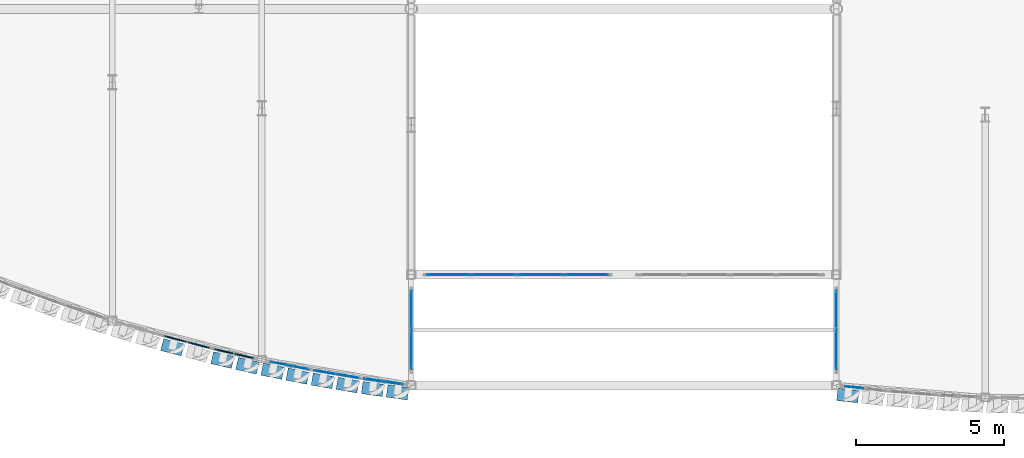
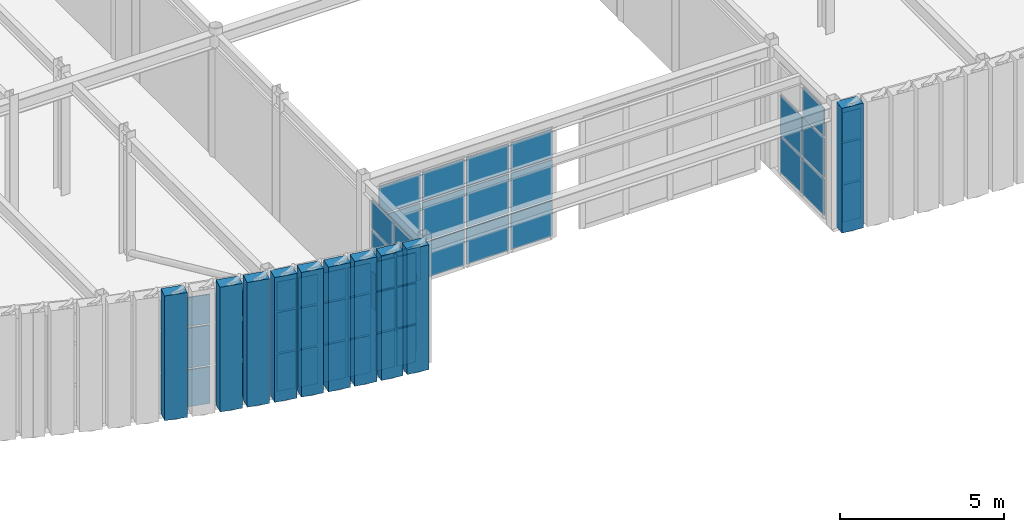
# One storey, part 82 of 121: 66 plates, 9 elements without a shape of their own.
"""IFC4 building model written with IfcOpenShell, lengths in metres."""

from ifc_helpers import new_model, si_unit, direction, frame, origin, origin_2d, place, context, subcontext, project, spatial, rectangle, extrude, material, layer, layer_set, type_object, element, aggregate, save


model = new_model("IFC4")

# Units and contexts
model_context = context("Model", 3, precision=1e-05, world=origin(), true_north=direction((0.0, 1.0)))
body_context = subcontext(model_context, "Body", "Model", "MODEL_VIEW")
ifc_project = project(units=[si_unit("LENGTHUNIT", "METRE"), si_unit("AREAUNIT", "SQUARE_METRE"), si_unit("VOLUMEUNIT", "CUBIC_METRE"), si_unit("PLANEANGLEUNIT", "RADIAN"), si_unit("MASSUNIT", "GRAM", prefix="KILO")], contexts=[model_context])

# Site, building, storey
site_placement = place(None, origin())
site = spatial("IfcSite", under=ifc_project, at=site_placement, CompositionType="ELEMENT")
building_placement = place(site_placement, origin())
building = spatial("IfcBuilding", under=site, at=building_placement, Name="Solvadek Multi-Sports Hall", CompositionType="ELEMENT")
storey_placement = place(building_placement, frame((0.0, 0.0, 4.800048828125)))
storey = spatial("IfcBuildingStorey", under=building, at=storey_placement, Name="L01", CompositionType="ELEMENT", Elevation=4.800048828125)

# Curtain wall, plates
ifc_material_1 = material(Name="Anodised aluminium", Category="aluminium")
ifc_layer_1 = layer(ifc_material_1, 0.159912109375, Name="Anodised aluminium")
ifc_layer_set_1 = layer_set([ifc_layer_1], Name="Anodised aluminium")
curtain_wall_type_1 = type_object("IfcCurtainWallType", Name="ENV-CW-145X420", PredefinedType="USERDEFINED", material=ifc_layer_set_1)
curtain_wall_1_placement = place(storey_placement, origin())
curtain_wall_1 = element("IfcCurtainWall", 1, at=curtain_wall_1_placement, inside=storey, type_object=curtain_wall_type_1, Name="L01 Crescent Curved Curtain Wall #49", ObjectType="CURTAIN WALL", PredefinedType="USERDEFINED")
ifc_material_2 = material(Name="Tempered laminated low-E glass", Category="glass")
ifc_layer_2 = layer(ifc_material_2, 0.02392578125, Name="Tempered laminated low-E glass")
ifc_layer_set_2 = layer_set([ifc_layer_2], Name="Tempered laminated low-E glass")
plate_type_1 = type_object("IfcPlateType", Name="ENV-CWP-01", PredefinedType="CURTAIN_PANEL", material=ifc_layer_set_2)
plate_1_placement = place(storey_placement, frame((67.54736328125, -12.015625, 0.06005859375), z_axis=(0.0, 0.0, 1.0), x_axis=(0.980572719393, -0.196155912432, 0.0)))
plate_1 = element("IfcPlate", 2, at=plate_1_placement, type_object=plate_type_1, Name="CW-24 panel 1.1", PredefinedType="CURTAIN_PANEL", context=body_context, shape_type="SweptSolid", body=[
    extrude(rectangle(XDim=0.6201171875, YDim=0.02392578125, at=origin_2d()), origin(), (0.0, 0.0, 1.0), 1.3798828125),
])
plate_2_placement = place(storey_placement, frame((67.54736328125, -12.015625, 1.5), z_axis=(0.0, 0.0, 1.0), x_axis=(0.980572719393, -0.196155912432, 0.0)))
plate_2 = element("IfcPlate", 3, at=plate_2_placement, type_object=plate_type_1, Name="CW-24 panel 1.2", PredefinedType="CURTAIN_PANEL", context=body_context, shape_type="SweptSolid", body=[
    extrude(rectangle(XDim=0.6201171875, YDim=0.02392578125, at=origin_2d()), origin(), (0.0, 0.0, 1.0), 1.493896484375),
])
plate_3_placement = place(storey_placement, frame((67.54736328125, -12.015625, 3.053955078125), z_axis=(0.0, 0.0, 1.0), x_axis=(0.980572719393, -0.196155912432, 0.0)))
plate_3 = element("IfcPlate", 4, at=plate_3_placement, type_object=plate_type_1, Name="CW-24 panel 1.3", PredefinedType="CURTAIN_PANEL", context=body_context, shape_type="SweptSolid", body=[
    extrude(rectangle(XDim=0.6201171875, YDim=0.02392578125, at=origin_2d()), origin(), (0.0, 0.0, 1.0), 1.0859375),
])
plate_4_placement = place(storey_placement, frame((68.22412109375, -12.15087890625, 0.06005859375), z_axis=(0.0, 0.0, 1.0), x_axis=(0.980572719393, -0.196155912432, 0.0)))
plate_4 = element("IfcPlate", 5, at=plate_4_placement, type_object=plate_type_1, Name="CW-24 panel 2.1", PredefinedType="CURTAIN_PANEL", context=body_context, shape_type="SweptSolid", body=[
    extrude(rectangle(XDim=0.6201171875, YDim=0.02392578125, at=origin_2d()), origin(), (0.0, 0.0, 1.0), 1.3798828125),
])
plate_5_placement = place(storey_placement, frame((68.22412109375, -12.15087890625, 1.5), z_axis=(0.0, 0.0, 1.0), x_axis=(0.980572719393, -0.196155912432, 0.0)))
plate_5 = element("IfcPlate", 6, at=plate_5_placement, type_object=plate_type_1, Name="CW-24 panel 2.2", PredefinedType="CURTAIN_PANEL", context=body_context, shape_type="SweptSolid", body=[
    extrude(rectangle(XDim=0.6201171875, YDim=0.02392578125, at=origin_2d()), origin(), (0.0, 0.0, 1.0), 1.493896484375),
])
plate_6_placement = place(storey_placement, frame((68.22412109375, -12.15087890625, 3.053955078125), z_axis=(0.0, 0.0, 1.0), x_axis=(0.980572719393, -0.196155912432, 0.0)))
plate_6 = element("IfcPlate", 7, at=plate_6_placement, type_object=plate_type_1, Name="CW-24 panel 2.3", PredefinedType="CURTAIN_PANEL", context=body_context, shape_type="SweptSolid", body=[
    extrude(rectangle(XDim=0.6201171875, YDim=0.02392578125, at=origin_2d()), origin(), (0.0, 0.0, 1.0), 1.0859375),
])
aggregate(curtain_wall_1, [plate_1, plate_2, plate_3, plate_4, plate_5, plate_6])

ifc_layer_3 = layer(ifc_material_1, 0.159912109375, Name="Anodised aluminium")
ifc_layer_set_3 = layer_set([ifc_layer_3], Name="Anodised aluminium")
curtain_wall_type_2 = type_object("IfcCurtainWallType", Name="ENV-CW-142X420", PredefinedType="USERDEFINED", material=ifc_layer_set_3)
curtain_wall_2_placement = place(storey_placement, origin())
curtain_wall_2 = element("IfcCurtainWall", 8, at=curtain_wall_2_placement, inside=storey, type_object=curtain_wall_type_2, Name="L01 Crescent Curved Curtain Wall #55", ObjectType="CURTAIN WALL", PredefinedType="USERDEFINED")
plate_7_placement = place(storey_placement, frame((87.00634765625, -12.819580078125, 0.06005859375), z_axis=(0.0, 0.0, 1.0), x_axis=(0.994010171032, -0.109287601694, 0.0)))
plate_7 = element("IfcPlate", 9, at=plate_7_placement, type_object=plate_type_1, Name="CW-27 panel 1.1", PredefinedType="CURTAIN_PANEL", context=body_context, shape_type="SweptSolid", body=[
    extrude(rectangle(XDim=0.6201171875, YDim=0.02392578125, at=origin_2d()), origin(), (0.0, 0.0, 1.0), 1.3798828125),
])
plate_8_placement = place(storey_placement, frame((87.00634765625, -12.819580078125, 1.5), z_axis=(0.0, 0.0, 1.0), x_axis=(0.994010171032, -0.109287601694, 0.0)))
plate_8 = element("IfcPlate", 10, at=plate_8_placement, type_object=plate_type_1, Name="CW-27 panel 1.2", PredefinedType="CURTAIN_PANEL", context=body_context, shape_type="SweptSolid", body=[
    extrude(rectangle(XDim=0.6201171875, YDim=0.02392578125, at=origin_2d()), origin(), (0.0, 0.0, 1.0), 1.493896484375),
])
plate_9_placement = place(storey_placement, frame((87.00634765625, -12.819580078125, 3.053955078125), z_axis=(0.0, 0.0, 1.0), x_axis=(0.994010171032, -0.109287601694, 0.0)))
plate_9 = element("IfcPlate", 11, at=plate_9_placement, type_object=plate_type_1, Name="CW-27 panel 1.3", PredefinedType="CURTAIN_PANEL", context=body_context, shape_type="SweptSolid", body=[
    extrude(rectangle(XDim=0.6201171875, YDim=0.02392578125, at=origin_2d()), origin(), (0.0, 0.0, 1.0), 1.0859375),
])
aggregate(curtain_wall_2, [plate_7, plate_8, plate_9])

ifc_layer_4 = layer(ifc_material_1, 0.159912109375, Name="Anodised aluminium")
ifc_layer_set_4 = layer_set([ifc_layer_4], Name="Anodised aluminium")
curtain_wall_type_3 = type_object("IfcCurtainWallType", Name="ENV-CW-165X420", PredefinedType="USERDEFINED", material=ifc_layer_set_4)
curtain_wall_3_placement = place(storey_placement, origin())
curtain_wall_3 = element("IfcCurtainWall", 12, at=curtain_wall_3_placement, inside=storey, type_object=curtain_wall_type_3, Name="L01 Crescent Curved Curtain Wall #51", ObjectType="CURTAIN WALL", PredefinedType="USERDEFINED")
ifc_layer_5 = layer(ifc_material_2, 0.028076171875, Name="Tempered laminated low-E glass")
ifc_layer_set_5 = layer_set([ifc_layer_5], Name="Tempered laminated low-E glass")
plate_type_2 = type_object("IfcPlateType", Name="ENV-CWP-02", PredefinedType="CURTAIN_PANEL", material=ifc_layer_set_5)
plate_10_placement = place(storey_placement, frame((69.07763671875, -12.307861328125, 0.06005859375), z_axis=(0.0, 0.0, 1.0), x_axis=(0.985915035187, -0.167246953314, 0.0)))
plate_10 = element("IfcPlate", 13, at=plate_10_placement, type_object=plate_type_2, Name="CW-25 panel 1.1", PredefinedType="CURTAIN_PANEL", context=body_context, shape_type="SweptSolid", body=[
    extrude(rectangle(XDim=0.7353515625, YDim=0.028076171875, at=origin_2d()), origin(), (0.0, 0.0, 1.0), 1.3798828125),
])
plate_11_placement = place(storey_placement, frame((69.07763671875, -12.307861328125, 1.5), z_axis=(0.0, 0.0, 1.0), x_axis=(0.985915035187, -0.167246953314, 0.0)))
plate_11 = element("IfcPlate", 14, at=plate_11_placement, type_object=plate_type_2, Name="CW-25 panel 1.2", PredefinedType="CURTAIN_PANEL", context=body_context, shape_type="SweptSolid", body=[
    extrude(rectangle(XDim=0.7353515625, YDim=0.028076171875, at=origin_2d()), origin(), (0.0, 0.0, 1.0), 1.493896484375),
])
plate_12_placement = place(storey_placement, frame((69.07763671875, -12.307861328125, 3.053955078125), z_axis=(0.0, 0.0, 1.0), x_axis=(0.985915035187, -0.167246953314, 0.0)))
plate_12 = element("IfcPlate", 15, at=plate_12_placement, type_object=plate_type_2, Name="CW-25 panel 1.3", PredefinedType="CURTAIN_PANEL", context=body_context, shape_type="SweptSolid", body=[
    extrude(rectangle(XDim=0.7353515625, YDim=0.028076171875, at=origin_2d()), origin(), (0.0, 0.0, 1.0), 1.0859375),
])
plate_13_placement = place(storey_placement, frame((69.86181640625, -12.44091796875, 0.06005859375), z_axis=(0.0, 0.0, 1.0), x_axis=(0.985915035187, -0.167246953314, 0.0)))
plate_13 = element("IfcPlate", 16, at=plate_13_placement, type_object=plate_type_2, Name="CW-25 panel 2.1", PredefinedType="CURTAIN_PANEL", context=body_context, shape_type="SweptSolid", body=[
    extrude(rectangle(XDim=0.7353515625, YDim=0.028076171875, at=origin_2d()), origin(), (0.0, 0.0, 1.0), 1.3798828125),
])
plate_14_placement = place(storey_placement, frame((69.86181640625, -12.44091796875, 1.5), z_axis=(0.0, 0.0, 1.0), x_axis=(0.985915035187, -0.167246953314, 0.0)))
plate_14 = element("IfcPlate", 17, at=plate_14_placement, type_object=plate_type_2, Name="CW-25 panel 2.2", PredefinedType="CURTAIN_PANEL", context=body_context, shape_type="SweptSolid", body=[
    extrude(rectangle(XDim=0.7353515625, YDim=0.028076171875, at=origin_2d()), origin(), (0.0, 0.0, 1.0), 1.493896484375),
])
plate_15_placement = place(storey_placement, frame((69.86181640625, -12.44091796875, 3.053955078125), z_axis=(0.0, 0.0, 1.0), x_axis=(0.985915035187, -0.167246953314, 0.0)))
plate_15 = element("IfcPlate", 18, at=plate_15_placement, type_object=plate_type_2, Name="CW-25 panel 2.3", PredefinedType="CURTAIN_PANEL", context=body_context, shape_type="SweptSolid", body=[
    extrude(rectangle(XDim=0.7353515625, YDim=0.028076171875, at=origin_2d()), origin(), (0.0, 0.0, 1.0), 1.0859375),
])
aggregate(curtain_wall_3, [plate_10, plate_11, plate_12, plate_13, plate_14, plate_15])

ifc_layer_6 = layer(ifc_material_1, 0.159912109375, Name="Anodised aluminium")
ifc_layer_set_6 = layer_set([ifc_layer_6], Name="Anodised aluminium")
curtain_wall_type_4 = type_object("IfcCurtainWallType", Name="ENV-CW-279X413", PredefinedType="USERDEFINED", material=ifc_layer_set_6)
curtain_wall_4_placement = place(storey_placement, origin())
curtain_wall_4 = element("IfcCurtainWall", 19, at=curtain_wall_4_placement, inside=storey, type_object=curtain_wall_type_4, Name="L01 Perimeter Bay Curtain Wall #120", ObjectType="CURTAIN WALL", PredefinedType="USERDEFINED")
plate_16_placement = place(storey_placement, frame((72.0, -11.5595703125, 0.06005859375), z_axis=(0.0, 0.0, 1.0), x_axis=(0.0, 1.0, 0.0)))
plate_16 = element("IfcPlate", 20, at=plate_16_placement, type_object=plate_type_2, Name="CW-41 panel 1.1", PredefinedType="CURTAIN_PANEL", context=body_context, shape_type="SweptSolid", body=[
    extrude(rectangle(XDim=1.306396484375, YDim=0.028076171875, at=origin_2d()), origin(), (0.0, 0.0, 1.0), 1.35400390625),
])
plate_17_placement = place(storey_placement, frame((72.0, -11.5595703125, 1.47412109375), z_axis=(0.0, 0.0, 1.0), x_axis=(0.0, 1.0, 0.0)))
plate_17 = element("IfcPlate", 21, at=plate_17_placement, type_object=plate_type_2, Name="CW-41 panel 1.2", PredefinedType="CURTAIN_PANEL", context=body_context, shape_type="SweptSolid", body=[
    extrude(rectangle(XDim=1.306396484375, YDim=0.028076171875, at=origin_2d()), origin(), (0.0, 0.0, 1.0), 1.466064453125),
])
plate_18_placement = place(storey_placement, frame((72.0, -11.5595703125, 3.0), z_axis=(0.0, 0.0, 1.0), x_axis=(0.0, 1.0, 0.0)))
plate_18 = element("IfcPlate", 22, at=plate_18_placement, type_object=plate_type_2, Name="CW-41 panel 1.3", PredefinedType="CURTAIN_PANEL", context=body_context, shape_type="SweptSolid", body=[
    extrude(rectangle(XDim=1.306396484375, YDim=0.028076171875, at=origin_2d()), origin(), (0.0, 0.0, 1.0), 1.06494140625),
])
plate_19_placement = place(storey_placement, frame((72.0, -10.193115234375, 0.06005859375), z_axis=(0.0, 0.0, 1.0), x_axis=(0.0, 1.0, 0.0)))
plate_19 = element("IfcPlate", 23, at=plate_19_placement, type_object=plate_type_2, Name="CW-41 panel 2.1", PredefinedType="CURTAIN_PANEL", context=body_context, shape_type="SweptSolid", body=[
    extrude(rectangle(XDim=1.306396484375, YDim=0.028076171875, at=origin_2d()), origin(), (0.0, 0.0, 1.0), 1.35400390625),
])
plate_20_placement = place(storey_placement, frame((72.0, -10.193115234375, 1.47412109375), z_axis=(0.0, 0.0, 1.0), x_axis=(0.0, 1.0, 0.0)))
plate_20 = element("IfcPlate", 24, at=plate_20_placement, type_object=plate_type_2, Name="CW-41 panel 2.2", PredefinedType="CURTAIN_PANEL", context=body_context, shape_type="SweptSolid", body=[
    extrude(rectangle(XDim=1.306396484375, YDim=0.028076171875, at=origin_2d()), origin(), (0.0, 0.0, 1.0), 1.466064453125),
])
plate_21_placement = place(storey_placement, frame((72.0, -10.193115234375, 3.0), z_axis=(0.0, 0.0, 1.0), x_axis=(0.0, 1.0, 0.0)))
plate_21 = element("IfcPlate", 25, at=plate_21_placement, type_object=plate_type_2, Name="CW-41 panel 2.3", PredefinedType="CURTAIN_PANEL", context=body_context, shape_type="SweptSolid", body=[
    extrude(rectangle(XDim=1.306396484375, YDim=0.028076171875, at=origin_2d()), origin(), (0.0, 0.0, 1.0), 1.06494140625),
])
aggregate(curtain_wall_4, [plate_16, plate_17, plate_18, plate_19, plate_20, plate_21])

curtain_wall_5_placement = place(storey_placement, origin())
curtain_wall_5 = element("IfcCurtainWall", 26, at=curtain_wall_5_placement, inside=storey, type_object=curtain_wall_type_4, Name="L01 Perimeter Bay Curtain Wall #122", ObjectType="CURTAIN WALL", PredefinedType="USERDEFINED")
plate_22_placement = place(storey_placement, frame((86.39990234375, -11.5595703125, 0.06005859375), z_axis=(0.0, 0.0, 1.0), x_axis=(0.0, 1.0, 0.0)))
plate_22 = element("IfcPlate", 27, at=plate_22_placement, type_object=plate_type_2, Name="CW-41 panel 1.1", PredefinedType="CURTAIN_PANEL", context=body_context, shape_type="SweptSolid", body=[
    extrude(rectangle(XDim=1.306396484375, YDim=0.028076171875, at=origin_2d()), origin(), (0.0, 0.0, 1.0), 1.35400390625),
])
plate_23_placement = place(storey_placement, frame((86.39990234375, -11.5595703125, 1.47412109375), z_axis=(0.0, 0.0, 1.0), x_axis=(0.0, 1.0, 0.0)))
plate_23 = element("IfcPlate", 28, at=plate_23_placement, type_object=plate_type_2, Name="CW-41 panel 1.2", PredefinedType="CURTAIN_PANEL", context=body_context, shape_type="SweptSolid", body=[
    extrude(rectangle(XDim=1.306396484375, YDim=0.028076171875, at=origin_2d()), origin(), (0.0, 0.0, 1.0), 1.466064453125),
])
plate_24_placement = place(storey_placement, frame((86.39990234375, -11.5595703125, 3.0), z_axis=(0.0, 0.0, 1.0), x_axis=(0.0, 1.0, 0.0)))
plate_24 = element("IfcPlate", 29, at=plate_24_placement, type_object=plate_type_2, Name="CW-41 panel 1.3", PredefinedType="CURTAIN_PANEL", context=body_context, shape_type="SweptSolid", body=[
    extrude(rectangle(XDim=1.306396484375, YDim=0.028076171875, at=origin_2d()), origin(), (0.0, 0.0, 1.0), 1.06494140625),
])
plate_25_placement = place(storey_placement, frame((86.39990234375, -10.193115234375, 0.06005859375), z_axis=(0.0, 0.0, 1.0), x_axis=(0.0, 1.0, 0.0)))
plate_25 = element("IfcPlate", 30, at=plate_25_placement, type_object=plate_type_2, Name="CW-41 panel 2.1", PredefinedType="CURTAIN_PANEL", context=body_context, shape_type="SweptSolid", body=[
    extrude(rectangle(XDim=1.306396484375, YDim=0.028076171875, at=origin_2d()), origin(), (0.0, 0.0, 1.0), 1.35400390625),
])
plate_26_placement = place(storey_placement, frame((86.39990234375, -10.193115234375, 1.47412109375), z_axis=(0.0, 0.0, 1.0), x_axis=(0.0, 1.0, 0.0)))
plate_26 = element("IfcPlate", 31, at=plate_26_placement, type_object=plate_type_2, Name="CW-41 panel 2.2", PredefinedType="CURTAIN_PANEL", context=body_context, shape_type="SweptSolid", body=[
    extrude(rectangle(XDim=1.306396484375, YDim=0.028076171875, at=origin_2d()), origin(), (0.0, 0.0, 1.0), 1.466064453125),
])
aggregate(curtain_wall_5, [plate_22, plate_23, plate_24, plate_25, plate_26])

ifc_layer_7 = layer(ifc_material_1, 0.159912109375, Name="Anodised aluminium")
ifc_layer_set_7 = layer_set([ifc_layer_7], Name="Anodised aluminium")
curtain_wall_type_5 = type_object("IfcCurtainWallType", Name="ENV-CW-143X420", PredefinedType="USERDEFINED", material=ifc_layer_set_7)
curtain_wall_6_placement = place(storey_placement, origin())
curtain_wall_6 = element("IfcCurtainWall", 32, at=curtain_wall_6_placement, inside=storey, type_object=curtain_wall_type_5, Name="L01 Crescent Curved Curtain Wall #53", ObjectType="CURTAIN WALL", PredefinedType="USERDEFINED")
ifc_layer_8 = layer(ifc_material_2, 0.031982421875, Name="Tempered laminated low-E glass")
ifc_layer_set_8 = layer_set([ifc_layer_8], Name="Tempered laminated low-E glass")
plate_type_3 = type_object("IfcPlateType", Name="ENV-CWP-03", PredefinedType="CURTAIN_PANEL", material=ifc_layer_set_8)
plate_27_placement = place(storey_placement, frame((70.712646484375, -12.5732421875, 0.06494140625), z_axis=(0.0, 0.0, 1.0), x_axis=(0.990402008066, -0.138216722642, 0.0)))
plate_27 = element("IfcPlate", 33, at=plate_27_placement, type_object=plate_type_3, Name="CW-26 panel 1.1", PredefinedType="CURTAIN_PANEL", context=body_context, shape_type="SweptSolid", body=[
    extrude(rectangle(XDim=0.626708984375, YDim=0.031982421875, at=origin_2d()), origin(), (0.0, 0.0, 1.0), 1.37255859375),
])
plate_28_placement = place(storey_placement, frame((70.712646484375, -12.5732421875, 1.50244140625), z_axis=(0.0, 0.0, 1.0), x_axis=(0.990402008066, -0.138216722642, 0.0)))
plate_28 = element("IfcPlate", 34, at=plate_28_placement, type_object=plate_type_3, Name="CW-26 panel 1.2", PredefinedType="CURTAIN_PANEL", context=body_context, shape_type="SweptSolid", body=[
    extrude(rectangle(XDim=0.626708984375, YDim=0.031982421875, at=origin_2d()), origin(), (0.0, 0.0, 1.0), 1.489013671875),
])
plate_29_placement = place(storey_placement, frame((70.712646484375, -12.5732421875, 3.056396484375), z_axis=(0.0, 0.0, 1.0), x_axis=(0.990402008066, -0.138216722642, 0.0)))
plate_29 = element("IfcPlate", 35, at=plate_29_placement, type_object=plate_type_3, Name="CW-26 panel 1.3", PredefinedType="CURTAIN_PANEL", context=body_context, shape_type="SweptSolid", body=[
    extrude(rectangle(XDim=0.626708984375, YDim=0.031982421875, at=origin_2d()), origin(), (0.0, 0.0, 1.0), 1.07861328125),
])
plate_30_placement = place(storey_placement, frame((71.392578125, -12.668212890625, 0.06494140625), z_axis=(0.0, 0.0, 1.0), x_axis=(0.990402008066, -0.138216722642, 0.0)))
plate_30 = element("IfcPlate", 36, at=plate_30_placement, type_object=plate_type_3, Name="CW-26 panel 2.1", PredefinedType="CURTAIN_PANEL", context=body_context, shape_type="SweptSolid", body=[
    extrude(rectangle(XDim=0.626708984375, YDim=0.031982421875, at=origin_2d()), origin(), (0.0, 0.0, 1.0), 1.37255859375),
])
plate_31_placement = place(storey_placement, frame((71.392578125, -12.668212890625, 1.50244140625), z_axis=(0.0, 0.0, 1.0), x_axis=(0.990402008066, -0.138216722642, 0.0)))
plate_31 = element("IfcPlate", 37, at=plate_31_placement, type_object=plate_type_3, Name="CW-26 panel 2.2", PredefinedType="CURTAIN_PANEL", context=body_context, shape_type="SweptSolid", body=[
    extrude(rectangle(XDim=0.626708984375, YDim=0.031982421875, at=origin_2d()), origin(), (0.0, 0.0, 1.0), 1.489013671875),
])
plate_32_placement = place(storey_placement, frame((71.392578125, -12.668212890625, 3.056396484375), z_axis=(0.0, 0.0, 1.0), x_axis=(0.990402008066, -0.138216722642, 0.0)))
plate_32 = element("IfcPlate", 38, at=plate_32_placement, type_object=plate_type_3, Name="CW-26 panel 2.3", PredefinedType="CURTAIN_PANEL", context=body_context, shape_type="SweptSolid", body=[
    extrude(rectangle(XDim=0.626708984375, YDim=0.031982421875, at=origin_2d()), origin(), (0.0, 0.0, 1.0), 1.07861328125),
])
aggregate(curtain_wall_6, [plate_27, plate_28, plate_29, plate_30, plate_31, plate_32])

ifc_layer_9 = layer(ifc_material_1, 0.159912109375, Name="Anodised aluminium")
ifc_layer_set_9 = layer_set([ifc_layer_9], Name="Anodised aluminium")
curtain_wall_type_6 = type_object("IfcCurtainWallType", Name="ENV-CW-624X410", PredefinedType="USERDEFINED", material=ifc_layer_set_9)
curtain_wall_7_placement = place(storey_placement, origin())
curtain_wall_7 = element("IfcCurtainWall", 39, at=curtain_wall_7_placement, inside=storey, type_object=curtain_wall_type_6, Name="L01 Perimeter Bay Curtain Wall #116", ObjectType="CURTAIN WALL", PredefinedType="USERDEFINED")
plate_33_placement = place(storey_placement, frame((73.2763671875, -9.0, 0.06494140625), z_axis=(0.0, 0.0, 1.0), x_axis=(1.0, 0.0, 0.0)))
plate_33 = element("IfcPlate", 40, at=plate_33_placement, type_object=plate_type_3, Name="CW-39 panel 1.1", PredefinedType="CURTAIN_PANEL", context=body_context, shape_type="SweptSolid", body=[
    extrude(rectangle(XDim=1.46240234375, YDim=0.031982421875, at=origin_2d()), origin(), (0.0, 0.0, 1.0), 1.33740234375),
])
plate_34_placement = place(storey_placement, frame((73.2763671875, -9.0, 1.46728515625), z_axis=(0.0, 0.0, 1.0), x_axis=(1.0, 0.0, 0.0)))
plate_34 = element("IfcPlate", 41, at=plate_34_placement, type_object=plate_type_3, Name="CW-39 panel 1.2", PredefinedType="CURTAIN_PANEL", context=body_context, shape_type="SweptSolid", body=[
    extrude(rectangle(XDim=1.46240234375, YDim=0.031982421875, at=origin_2d()), origin(), (0.0, 0.0, 1.0), 1.451904296875),
])
plate_35_placement = place(storey_placement, frame((73.2763671875, -9.0, 2.984375), z_axis=(0.0, 0.0, 1.0), x_axis=(1.0, 0.0, 0.0)))
plate_35 = element("IfcPlate", 42, at=plate_35_placement, type_object=plate_type_3, Name="CW-39 panel 1.3", PredefinedType="CURTAIN_PANEL", context=body_context, shape_type="SweptSolid", body=[
    extrude(rectangle(XDim=1.46240234375, YDim=0.031982421875, at=origin_2d()), origin(), (0.0, 0.0, 1.0), 1.050537109375),
])
plate_36_placement = place(storey_placement, frame((74.820068359375, -9.0, 0.06494140625), z_axis=(0.0, 0.0, 1.0), x_axis=(1.0, 0.0, 0.0)))
plate_36 = element("IfcPlate", 43, at=plate_36_placement, type_object=plate_type_3, Name="CW-39 panel 2.1", PredefinedType="CURTAIN_PANEL", context=body_context, shape_type="SweptSolid", body=[
    extrude(rectangle(XDim=1.4951171875, YDim=0.031982421875, at=origin_2d()), origin(), (0.0, 0.0, 1.0), 1.33740234375),
])
plate_37_placement = place(storey_placement, frame((74.820068359375, -9.0, 1.46728515625), z_axis=(0.0, 0.0, 1.0), x_axis=(1.0, 0.0, 0.0)))
plate_37 = element("IfcPlate", 44, at=plate_37_placement, type_object=plate_type_3, Name="CW-39 panel 2.2", PredefinedType="CURTAIN_PANEL", context=body_context, shape_type="SweptSolid", body=[
    extrude(rectangle(XDim=1.4951171875, YDim=0.031982421875, at=origin_2d()), origin(), (0.0, 0.0, 1.0), 1.451904296875),
])
plate_38_placement = place(storey_placement, frame((74.820068359375, -9.0, 2.984375), z_axis=(0.0, 0.0, 1.0), x_axis=(1.0, 0.0, 0.0)))
plate_38 = element("IfcPlate", 45, at=plate_38_placement, type_object=plate_type_3, Name="CW-39 panel 2.3", PredefinedType="CURTAIN_PANEL", context=body_context, shape_type="SweptSolid", body=[
    extrude(rectangle(XDim=1.4951171875, YDim=0.031982421875, at=origin_2d()), origin(), (0.0, 0.0, 1.0), 1.050537109375),
])
plate_39_placement = place(storey_placement, frame((76.3798828125, -9.0, 0.06494140625), z_axis=(0.0, 0.0, 1.0), x_axis=(1.0, 0.0, 0.0)))
plate_39 = element("IfcPlate", 46, at=plate_39_placement, type_object=plate_type_3, Name="CW-39 panel 3.1", PredefinedType="CURTAIN_PANEL", context=body_context, shape_type="SweptSolid", body=[
    extrude(rectangle(XDim=1.4951171875, YDim=0.031982421875, at=origin_2d()), origin(), (0.0, 0.0, 1.0), 1.33740234375),
])
plate_40_placement = place(storey_placement, frame((76.3798828125, -9.0, 1.46728515625), z_axis=(0.0, 0.0, 1.0), x_axis=(1.0, 0.0, 0.0)))
plate_40 = element("IfcPlate", 47, at=plate_40_placement, type_object=plate_type_3, Name="CW-39 panel 3.2", PredefinedType="CURTAIN_PANEL", context=body_context, shape_type="SweptSolid", body=[
    extrude(rectangle(XDim=1.4951171875, YDim=0.031982421875, at=origin_2d()), origin(), (0.0, 0.0, 1.0), 1.451904296875),
])
plate_41_placement = place(storey_placement, frame((76.3798828125, -9.0, 2.984375), z_axis=(0.0, 0.0, 1.0), x_axis=(1.0, 0.0, 0.0)))
plate_41 = element("IfcPlate", 48, at=plate_41_placement, type_object=plate_type_3, Name="CW-39 panel 3.3", PredefinedType="CURTAIN_PANEL", context=body_context, shape_type="SweptSolid", body=[
    extrude(rectangle(XDim=1.4951171875, YDim=0.031982421875, at=origin_2d()), origin(), (0.0, 0.0, 1.0), 1.050537109375),
])
plate_42_placement = place(storey_placement, frame((77.923828125, -9.0, 0.06494140625), z_axis=(0.0, 0.0, 1.0), x_axis=(1.0, 0.0, 0.0)))
plate_42 = element("IfcPlate", 49, at=plate_42_placement, type_object=plate_type_3, Name="CW-39 panel 4.1", PredefinedType="CURTAIN_PANEL", context=body_context, shape_type="SweptSolid", body=[
    extrude(rectangle(XDim=1.46240234375, YDim=0.031982421875, at=origin_2d()), origin(), (0.0, 0.0, 1.0), 1.33740234375),
])
plate_43_placement = place(storey_placement, frame((77.923828125, -9.0, 1.46728515625), z_axis=(0.0, 0.0, 1.0), x_axis=(1.0, 0.0, 0.0)))
plate_43 = element("IfcPlate", 50, at=plate_43_placement, type_object=plate_type_3, Name="CW-39 panel 4.2", PredefinedType="CURTAIN_PANEL", context=body_context, shape_type="SweptSolid", body=[
    extrude(rectangle(XDim=1.46240234375, YDim=0.031982421875, at=origin_2d()), origin(), (0.0, 0.0, 1.0), 1.451904296875),
])
plate_44_placement = place(storey_placement, frame((77.923828125, -9.0, 2.984375), z_axis=(0.0, 0.0, 1.0), x_axis=(1.0, 0.0, 0.0)))
plate_44 = element("IfcPlate", 51, at=plate_44_placement, type_object=plate_type_3, Name="CW-39 panel 4.3", PredefinedType="CURTAIN_PANEL", context=body_context, shape_type="SweptSolid", body=[
    extrude(rectangle(XDim=1.46240234375, YDim=0.031982421875, at=origin_2d()), origin(), (0.0, 0.0, 1.0), 1.050537109375),
])
aggregate(curtain_wall_7, [plate_33, plate_34, plate_35, plate_36, plate_37, plate_38, plate_39, plate_40, plate_41, plate_42, plate_43, plate_44])

ifc_layer_10 = layer(ifc_material_1, 0.159912109375, Name="Anodised aluminium")
ifc_layer_set_10 = layer_set([ifc_layer_10], Name="Anodised aluminium")
curtain_wall_type_7 = type_object("IfcCurtainWallType", Name="ENV-CW-168X420", PredefinedType="USERDEFINED", material=ifc_layer_set_10)
curtain_wall_8_placement = place(storey_placement, origin())
curtain_wall_8 = element("IfcCurtainWall", 52, at=curtain_wall_8_placement, inside=storey, type_object=curtain_wall_type_7, Name="L01 Crescent Curved Curtain Wall #45", ObjectType="CURTAIN WALL", PredefinedType="USERDEFINED")
ifc_layer_11 = layer(ifc_material_2, 0.0419921875, Name="Tempered laminated low-E glass")
ifc_layer_set_11 = layer_set([ifc_layer_11], Name="Tempered laminated low-E glass")
plate_type_4 = type_object("IfcPlateType", Name="ENV-CWP-05", PredefinedType="CURTAIN_PANEL", material=ifc_layer_set_11)
plate_45_placement = place(storey_placement, frame((64.017578125, -11.179443359375, 0.06494140625), z_axis=(0.0, 0.0, 1.0), x_axis=(0.967166772778, -0.254142545895, 0.0)))
plate_45 = element("IfcPlate", 53, at=plate_45_placement, type_object=plate_type_4, Name="CW-22 panel 1.1", PredefinedType="CURTAIN_PANEL", context=body_context, shape_type="SweptSolid", body=[
    extrude(rectangle(XDim=0.74462890625, YDim=0.0419921875, at=origin_2d()), origin(), (0.0, 0.0, 1.0), 1.37255859375),
])
plate_46_placement = place(storey_placement, frame((64.017578125, -11.179443359375, 1.50244140625), z_axis=(0.0, 0.0, 1.0), x_axis=(0.967166772778, -0.254142545895, 0.0)))
plate_46 = element("IfcPlate", 54, at=plate_46_placement, type_object=plate_type_4, Name="CW-22 panel 1.2", PredefinedType="CURTAIN_PANEL", context=body_context, shape_type="SweptSolid", body=[
    extrude(rectangle(XDim=0.74462890625, YDim=0.0419921875, at=origin_2d()), origin(), (0.0, 0.0, 1.0), 1.489013671875),
])
plate_47_placement = place(storey_placement, frame((64.017578125, -11.179443359375, 3.056396484375), z_axis=(0.0, 0.0, 1.0), x_axis=(0.967166772778, -0.254142545895, 0.0)))
plate_47 = element("IfcPlate", 55, at=plate_47_placement, type_object=plate_type_4, Name="CW-22 panel 1.3", PredefinedType="CURTAIN_PANEL", context=body_context, shape_type="SweptSolid", body=[
    extrude(rectangle(XDim=0.74462890625, YDim=0.0419921875, at=origin_2d()), origin(), (0.0, 0.0, 1.0), 1.07861328125),
])
plate_48_placement = place(storey_placement, frame((64.800537109375, -11.38525390625, 0.06494140625), z_axis=(0.0, 0.0, 1.0), x_axis=(0.967166772778, -0.254142545895, 0.0)))
plate_48 = element("IfcPlate", 56, at=plate_48_placement, type_object=plate_type_4, Name="CW-22 panel 2.1", PredefinedType="CURTAIN_PANEL", context=body_context, shape_type="SweptSolid", body=[
    extrude(rectangle(XDim=0.74462890625, YDim=0.0419921875, at=origin_2d()), origin(), (0.0, 0.0, 1.0), 1.37255859375),
])
plate_49_placement = place(storey_placement, frame((64.800537109375, -11.38525390625, 1.50244140625), z_axis=(0.0, 0.0, 1.0), x_axis=(0.967166772778, -0.254142545895, 0.0)))
plate_49 = element("IfcPlate", 57, at=plate_49_placement, type_object=plate_type_4, Name="CW-22 panel 2.2", PredefinedType="CURTAIN_PANEL", context=body_context, shape_type="SweptSolid", body=[
    extrude(rectangle(XDim=0.74462890625, YDim=0.0419921875, at=origin_2d()), origin(), (0.0, 0.0, 1.0), 1.489013671875),
])
plate_50_placement = place(storey_placement, frame((64.800537109375, -11.38525390625, 3.056396484375), z_axis=(0.0, 0.0, 1.0), x_axis=(0.967166772778, -0.254142545895, 0.0)))
plate_50 = element("IfcPlate", 58, at=plate_50_placement, type_object=plate_type_4, Name="CW-22 panel 2.3", PredefinedType="CURTAIN_PANEL", context=body_context, shape_type="SweptSolid", body=[
    extrude(rectangle(XDim=0.74462890625, YDim=0.0419921875, at=origin_2d()), origin(), (0.0, 0.0, 1.0), 1.07861328125),
])
aggregate(curtain_wall_8, [plate_45, plate_46, plate_47, plate_48, plate_49, plate_50])

ifc_layer_12 = layer(ifc_material_1, 0.159912109375, Name="Anodised aluminium")
ifc_layer_set_12 = layer_set([ifc_layer_12], Name="Anodised aluminium")
curtain_wall_type_8 = type_object("IfcCurtainWallType", Name="ENV-CW-146X420", PredefinedType="USERDEFINED", material=ifc_layer_set_12)
curtain_wall_9_placement = place(storey_placement, origin())
curtain_wall_9 = element("IfcCurtainWall", 59, at=curtain_wall_9_placement, inside=storey, type_object=curtain_wall_type_8, Name="L01 Crescent Curved Curtain Wall #47", ObjectType="CURTAIN WALL", PredefinedType="USERDEFINED")
ifc_layer_13 = layer(ifc_material_2, 0.048095703125, Name="Tempered laminated low-E glass")
ifc_layer_set_13 = layer_set([ifc_layer_13], Name="Tempered laminated low-E glass")
plate_type_5 = type_object("IfcPlateType", Name="ENV-CWP-06", PredefinedType="CURTAIN_PANEL", material=ifc_layer_set_13)
plate_51_placement = place(storey_placement, frame((65.653564453125, -11.5966796875, 0.06494140625), z_axis=(0.0, 0.0, 1.0), x_axis=(0.974315025775, -0.225189321569, 0.0)))
plate_51 = element("IfcPlate", 60, at=plate_51_placement, type_object=plate_type_5, Name="CW-23 panel 1.1", PredefinedType="CURTAIN_PANEL", context=body_context, shape_type="SweptSolid", body=[
    extrude(rectangle(XDim=0.63330078125, YDim=0.048095703125, at=origin_2d()), origin(), (0.0, 0.0, 1.0), 1.37255859375),
])
plate_52_placement = place(storey_placement, frame((65.653564453125, -11.5966796875, 1.50244140625), z_axis=(0.0, 0.0, 1.0), x_axis=(0.974315025775, -0.225189321569, 0.0)))
plate_52 = element("IfcPlate", 61, at=plate_52_placement, type_object=plate_type_5, Name="CW-23 panel 1.2", PredefinedType="CURTAIN_PANEL", context=body_context, shape_type="SweptSolid", body=[
    extrude(rectangle(XDim=0.63330078125, YDim=0.048095703125, at=origin_2d()), origin(), (0.0, 0.0, 1.0), 1.489013671875),
])
plate_53_placement = place(storey_placement, frame((65.653564453125, -11.5966796875, 3.056396484375), z_axis=(0.0, 0.0, 1.0), x_axis=(0.974315025775, -0.225189321569, 0.0)))
plate_53 = element("IfcPlate", 62, at=plate_53_placement, type_object=plate_type_5, Name="CW-23 panel 1.3", PredefinedType="CURTAIN_PANEL", context=body_context, shape_type="SweptSolid", body=[
    extrude(rectangle(XDim=0.63330078125, YDim=0.048095703125, at=origin_2d()), origin(), (0.0, 0.0, 1.0), 1.07861328125),
])
plate_54_placement = place(storey_placement, frame((66.333740234375, -11.75390625, 0.06494140625), z_axis=(0.0, 0.0, 1.0), x_axis=(0.974315025775, -0.225189321569, 0.0)))
plate_54 = element("IfcPlate", 63, at=plate_54_placement, type_object=plate_type_5, Name="CW-23 panel 2.1", PredefinedType="CURTAIN_PANEL", context=body_context, shape_type="SweptSolid", body=[
    extrude(rectangle(XDim=0.63330078125, YDim=0.048095703125, at=origin_2d()), origin(), (0.0, 0.0, 1.0), 1.37255859375),
])
plate_55_placement = place(storey_placement, frame((66.333740234375, -11.75390625, 1.50244140625), z_axis=(0.0, 0.0, 1.0), x_axis=(0.974315025775, -0.225189321569, 0.0)))
plate_55 = element("IfcPlate", 64, at=plate_55_placement, type_object=plate_type_5, Name="CW-23 panel 2.2", PredefinedType="CURTAIN_PANEL", context=body_context, shape_type="SweptSolid", body=[
    extrude(rectangle(XDim=0.63330078125, YDim=0.048095703125, at=origin_2d()), origin(), (0.0, 0.0, 1.0), 1.489013671875),
])
plate_56_placement = place(storey_placement, frame((66.333740234375, -11.75390625, 3.056396484375), z_axis=(0.0, 0.0, 1.0), x_axis=(0.974315025775, -0.225189321569, 0.0)))
plate_56 = element("IfcPlate", 65, at=plate_56_placement, type_object=plate_type_5, Name="CW-23 panel 2.3", PredefinedType="CURTAIN_PANEL", context=body_context, shape_type="SweptSolid", body=[
    extrude(rectangle(XDim=0.63330078125, YDim=0.048095703125, at=origin_2d()), origin(), (0.0, 0.0, 1.0), 1.07861328125),
])
aggregate(curtain_wall_9, [plate_51, plate_52, plate_53, plate_54, plate_55, plate_56])

# Plates
ifc_material_3 = material(Name="Perforated champagne-bronze anodised aluminium", Category="aluminium")
ifc_layer_14 = layer(ifc_material_3, 0.419921875, Name="Perforated champagne-bronze anodised aluminium")
ifc_layer_set_14 = layer_set([ifc_layer_14], Name="Perforated champagne-bronze anodised aluminium")
plate_type_6 = type_object("IfcPlateType", Name="ENV-FLT-440", PredefinedType="USERDEFINED", material=ifc_layer_set_14)
for number, where, z_axis, x_axis, name in (
    (66, (63.9111328125, -11.461669921875, 0.0400390625), (0.0, 0.0, 1.0), (0.967172504077, -0.25412073382, 0.0), "L01 Half-Cylinder Colonnade Flute #89"),
    (67, (65.606689453125, -11.893798828125, 0.0400390625), (0.0, 0.0, 1.0), (0.974313261817, -0.225196953459, 0.0), "L01 Half-Cylinder Colonnade Flute #93"),
    (68, (66.4501953125, -12.088623046875, 0.0400390625), (0.0, 0.0, 1.0), (0.974313261817, -0.225196953459, 0.0), "L01 Half-Cylinder Colonnade Flute #94"),
    (69, (67.30224609375, -12.2724609375, 0.0400390625), (0.0, 0.0, 1.0), (0.980567259161, -0.196183205861, 0.0), "L01 Half-Cylinder Colonnade Flute #97"),
    (70, (68.145751953125, -12.441162109375, 0.0400390625), (0.0, 0.0, 1.0), (0.980567259161, -0.196183205861, 0.0), "L01 Half-Cylinder Colonnade Flute #98"),
    (71, (68.997802734375, -12.5986328125, 0.0400390625), (0.0, 0.0, 1.0), (0.985919127793, -0.16722282575, 0.0), "L01 Half-Cylinder Colonnade Flute #101"),
    (72, (69.84130859375, -12.74169921875, 0.0400390625), (0.0, 0.0, 1.0), (0.985919127793, -0.16722282575, 0.0), "L01 Half-Cylinder Colonnade Flute #102"),
    (73, (70.693359375, -12.87353515625, 0.0400390625), (0.0, 0.0, 1.0), (0.990403400267, -0.138206746357, 0.0), "L01 Half-Cylinder Colonnade Flute #105"),
    (74, (71.536865234375, -12.9912109375, 0.0400390625), (0.0, 0.0, 1.0), (0.990403400267, -0.138206746357, 0.0), "L01 Half-Cylinder Colonnade Flute #106"),
    (75, (86.787109375, -13.09716796875, 0.0400390625), (0.0, 0.0, 1.0), (0.99401078481, -0.109282019021, 0.0), "L01 Half-Cylinder Colonnade Flute #109"),
):
    element("IfcPlate", number, at=place(storey_placement, frame(where, z_axis=z_axis, x_axis=x_axis)), inside=storey, type_object=plate_type_6, Name=name, ObjectType="FLANGED_SHEET", PredefinedType="USERDEFINED", context=body_context, shape_type="SweptSolid", body=[
        extrude(rectangle(XDim=0.719970703125, YDim=0.419921875, at=origin_2d()), origin(), (0.0, 0.0, 1.0), 4.64990234375),
    ])

save(model, "model.ifc")
